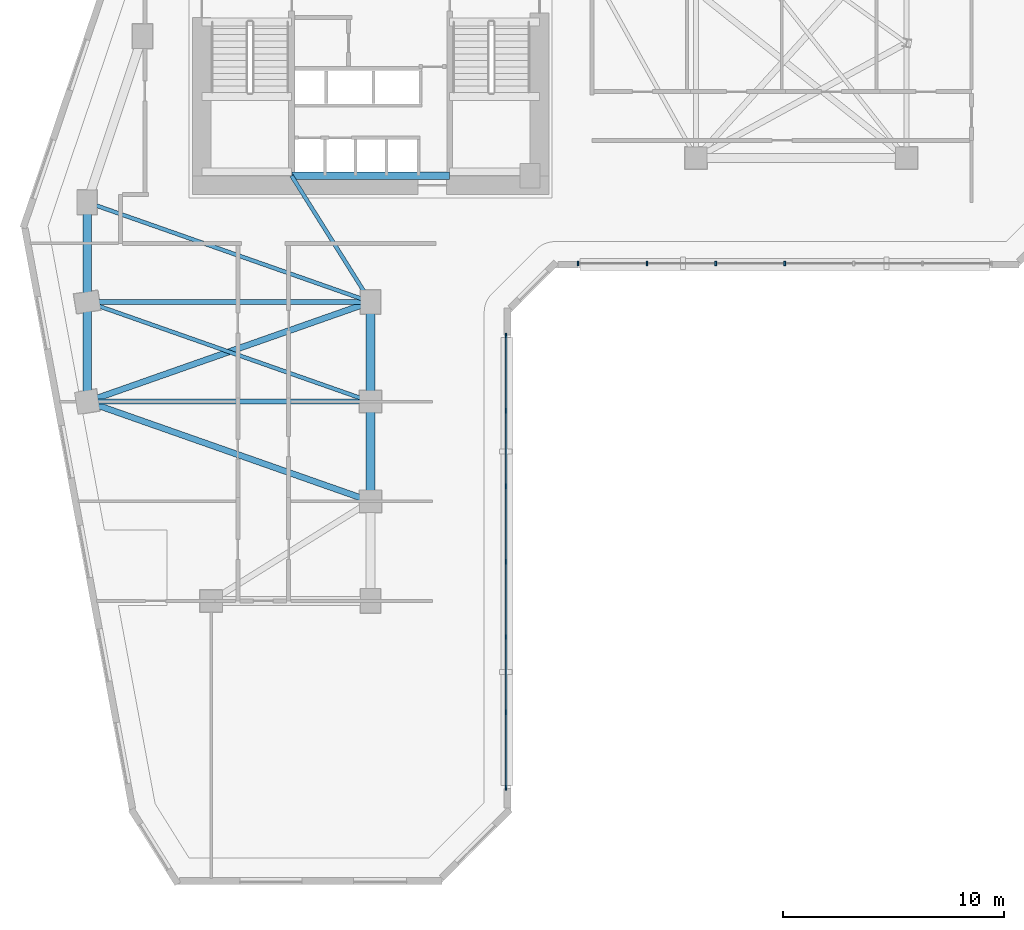
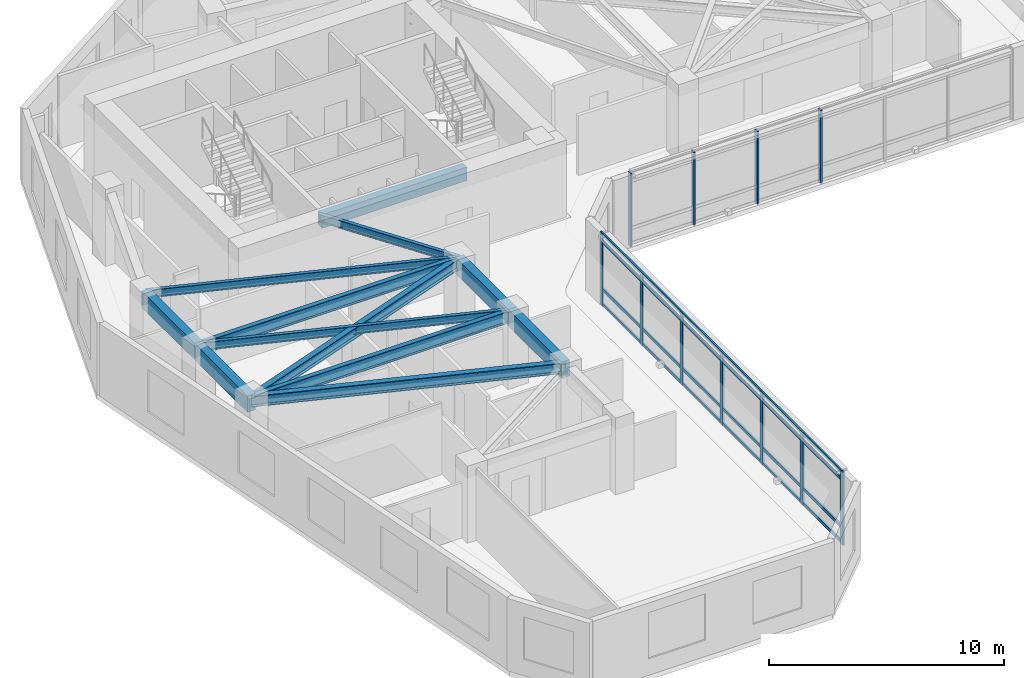
# One storey, part 2 of 11: 15 members, 12 beams, 2 elements without a shape of their own.
"""IFC4 building model written with IfcOpenShell, lengths in metres."""

import ifcopenshell
import ifcopenshell.guid

model = None  # the IFC model being written
_history = None  # IfcOwnerHistory: only IFC2X3 demands one
_inside = {}  # id of a spatial element -> (the spatial element, [elements in it])
_under = {}  # id of a project, library or spatial element -> (it, [spatial elements below it])
_declared = {}  # id of a project -> (the project, [libraries it declares])
_typed = {}  # id of a type object -> (the type object, [elements of that type])
_made_of = {}  # id of a material, layer set ... -> (it, [elements and type objects made of it])


def new_model(schema):
    """Start an empty IFC model of exactly this schema.

    Asked for "IFC4X3", IfcOpenShell would pick the latest addendum, in which some entities
    have other attributes; the version numbers below select the first issue.
    IFC2X3 requires an IfcOwnerHistory on every rooted entity: one is made here for all.
    """
    global model, _history
    if schema == "IFC4X3":
        model = ifcopenshell.file(schema_version=(4, 3, 0, 0))
    else:
        model = ifcopenshell.file(schema=schema)
    _inside.clear()
    _under.clear()
    _declared.clear()
    _typed.clear()
    _made_of.clear()
    _history = None
    if model.schema == "IFC2X3":
        org = make("IfcOrganization", Name="unknown")
        user = make(
            "IfcPersonAndOrganization",
            ThePerson=make("IfcPerson", FamilyName="unknown"),
            TheOrganization=org,
        )
        app = make(
            "IfcApplication",
            ApplicationDeveloper=org,
            Version="unknown",
            ApplicationFullName="unknown",
            ApplicationIdentifier="unknown",
        )
        _history = make(
            "IfcOwnerHistory",
            OwningUser=user,
            OwningApplication=app,
            ChangeAction="ADDED",
            CreationDate=0,
        )
    return model


def make(cls, **values):
    """One entity of the class cls with the attributes given. An attribute that is None is left unset."""
    return model.create_entity(
        cls, **{name: value for name, value in values.items() if value is not None}
    )


def rooted(cls, **values):
    """An entity with a GlobalId (a new one), such as an element, a storey or a relation."""
    return make(cls, GlobalId=ifcopenshell.guid.new(), OwnerHistory=_history, **values)


def si_unit(unit_type, name, prefix=None):
    """IfcSIUnit, for example si_unit("LENGTHUNIT", "METRE", prefix="MILLI")."""
    return make("IfcSIUnit", UnitType=unit_type, Prefix=prefix, Name=name)


def assignment(units):
    """IfcUnitAssignment: the units of a project."""
    return None if units is None else make("IfcUnitAssignment", Units=units)


def point(xyz):
    """IfcCartesianPoint."""
    return None if xyz is None else make("IfcCartesianPoint", Coordinates=xyz)


def direction(xyz):
    """IfcDirection."""
    return None if xyz is None else make("IfcDirection", DirectionRatios=xyz)


def frame(location, z_axis=None, x_axis=None):
    """IfcAxis2Placement3D, a coordinate frame: its origin and axes. An axis left out is left unset."""
    return make(
        "IfcAxis2Placement3D",
        Location=point(location),
        Axis=direction(z_axis),
        RefDirection=direction(x_axis),
    )


def frame_2d(location, x_axis=None):
    """IfcAxis2Placement2D, a coordinate frame in the plane: its origin and x axis."""
    return make(
        "IfcAxis2Placement2D", Location=point(location), RefDirection=direction(x_axis)
    )


def origin():
    """The frame at (0, 0, 0) with its axes left unset."""
    return frame((0.0, 0.0, 0.0))


def origin_2d():
    """The frame at (0, 0) in the plane with its x axis left unset."""
    return frame_2d((0.0, 0.0))


def place(relative_to, where):
    """IfcLocalPlacement: puts the frame where relative to a parent placement (None: the world)."""
    return make(
        "IfcLocalPlacement", PlacementRelTo=relative_to, RelativePlacement=where
    )


def context(
    kind, dimensions, precision=None, world=None, true_north=None, identifier=None
):
    """IfcGeometricRepresentationContext, for example the 3D "Model" context."""
    return make(
        "IfcGeometricRepresentationContext",
        ContextIdentifier=identifier,
        ContextType=kind,
        CoordinateSpaceDimension=dimensions,
        Precision=precision,
        WorldCoordinateSystem=world,
        TrueNorth=true_north,
    )


def subcontext(parent, identifier, kind, view, scale=None):
    """IfcGeometricRepresentationSubContext, for example "Body" below "Model"."""
    return make(
        "IfcGeometricRepresentationSubContext",
        ContextIdentifier=identifier,
        ContextType=kind,
        ParentContext=parent,
        TargetScale=scale,
        TargetView=view,
    )


def project(units=None, contexts=None):
    """IfcProject with its units and contexts."""
    return rooted(
        "IfcProject",
        Name="project",
        RepresentationContexts=contexts,
        UnitsInContext=assignment(units),
    )


def spatial(cls, under=None, at=None, **own):
    """A site, building, storey or space (cls), placed at a placement, below another one or the project."""
    s = rooted(cls, ObjectPlacement=at, **own)
    if under is not None:
        _under.setdefault(under.id(), (under, []))[1].append(s)
    return s


def profile(cls, at=None, kind="AREA", **sizes):
    """A parametric profile (cls). Its sizes go by their IFC names, for example OverallWidth=200.0."""
    return make(cls, ProfileType=kind, Position=at, **sizes)


def rectangle(**sizes):
    """IfcRectangleProfileDef."""
    return profile("IfcRectangleProfileDef", **sizes)


def i_section(**sizes):
    """IfcIShapeProfileDef."""
    return profile("IfcIShapeProfileDef", **sizes)


def extrude(swept, where, along, depth):
    """IfcExtrudedAreaSolid: the profile swept, set in the frame where, extruded along a direction by depth."""
    return make(
        "IfcExtrudedAreaSolid",
        SweptArea=swept,
        Position=where,
        ExtrudedDirection=direction(along),
        Depth=depth,
    )


def shape(context_of_items, identifier, shape_type, items):
    """IfcShapeRepresentation: the items that make up one representation, for example the "Body"."""
    return make(
        "IfcShapeRepresentation",
        ContextOfItems=context_of_items,
        RepresentationIdentifier=identifier,
        RepresentationType=shape_type,
        Items=items,
    )


def source(mapping_origin, context_of_items, identifier, shape_type, items):
    """IfcRepresentationMap: a shape defined once, which mapped items show again and again."""
    return make(
        "IfcRepresentationMap",
        MappingOrigin=mapping_origin,
        MappedRepresentation=shape(context_of_items, identifier, shape_type, items),
    )


def transform(
    local_origin,
    x_axis=None,
    y_axis=None,
    z_axis=None,
    scale=None,
    scale2=None,
    scale3=None,
    uniform=True,
):
    """IfcCartesianTransformationOperator3D, or its non-uniform kind. x_axis, y_axis, z_axis: its Axis1, 2, 3."""
    if uniform:
        return make(
            "IfcCartesianTransformationOperator3D",
            Axis1=direction(x_axis),
            Axis2=direction(y_axis),
            LocalOrigin=point(local_origin),
            Scale=scale,
            Axis3=direction(z_axis),
        )
    return make(
        "IfcCartesianTransformationOperator3DnonUniform",
        Axis1=direction(x_axis),
        Axis2=direction(y_axis),
        LocalOrigin=point(local_origin),
        Scale=scale,
        Axis3=direction(z_axis),
        Scale2=scale2,
        Scale3=scale3,
    )


def mapped(mapping_source, mapping_target):
    """IfcMappedItem: shows the shape of a source again, moved by a transform."""
    return make(
        "IfcMappedItem", MappingSource=mapping_source, MappingTarget=mapping_target
    )


def material(Name=None, Category=None):
    """IfcMaterial."""
    return make("IfcMaterial", Name=Name, Category=Category)


def material_profile(
    of_material, cross_section, Name=None, Category=None, Priority=None
):
    """IfcMaterialProfile: a cross section and its material."""
    return make(
        "IfcMaterialProfile",
        Name=Name,
        Material=of_material,
        Profile=cross_section,
        Priority=Priority,
        Category=Category,
    )


def profile_set(profiles, Name=None, composite=None):
    """IfcMaterialProfileSet."""
    return make(
        "IfcMaterialProfileSet",
        Name=Name,
        MaterialProfiles=profiles,
        CompositeProfile=composite,
    )


def made_of(thing, what):
    """Note that an element or type object is made of a material, layer set ...; save() writes the relation."""
    if what is not None:
        _made_of.setdefault(what.id(), (what, []))[1].append(thing)
    return thing


def type_object(cls, material=None, **own):
    """A type object (cls), such as IfcWallType, which elements share."""
    return made_of(rooted(cls, **own), material)


def element(
    cls,
    number,
    at=None,
    inside=None,
    cuts=None,
    type_object=None,
    material=None,
    context=None,
    identifier="Body",
    shape_type=None,
    held_by="IfcProductDefinitionShape",
    body=None,
    shapes=None,
    **own,
):
    """One element of the class cls, such as IfcWall. Its Tag is "e" and its number.

    at: its placement. inside: the storey or other place that contains it. cuts: it is an
    opening in that element (IfcRelVoidsElement). A single representation is given by context,
    identifier, shape_type and body (its items); several are given by shapes. held_by: the class
    of the entity that holds the representations. save() writes the other relations.
    """
    e = rooted(cls, Tag="e%d" % number, ObjectPlacement=at, **own)
    if body is not None:
        shapes = [shape(context, identifier, shape_type, body)]
    if shapes is not None:
        e.Representation = make(held_by, Representations=shapes)
    if inside is not None:
        _inside.setdefault(inside.id(), (inside, []))[1].append(e)
    if cuts is not None:
        rooted(
            "IfcRelVoidsElement", RelatingBuildingElement=cuts, RelatedOpeningElement=e
        )
    if type_object is not None:
        _typed.setdefault(type_object.id(), (type_object, []))[1].append(e)
    return made_of(e, material)


def aggregate(whole, parts):
    """IfcRelAggregates: a whole, such as a stair, and the parts it consists of."""
    return rooted("IfcRelAggregates", RelatingObject=whole, RelatedObjects=parts)


def save(model, path):
    """Write the relations noted so far, then the file.

    IfcRelAggregates (storeys below a building ...), IfcRelContainedInSpatialStructure (elements
    in a storey), IfcRelDefinesByType, IfcRelAssociatesMaterial and IfcRelDeclares: one each for
    every whole, place, type object, material and project.
    """
    for whole, parts in _under.values():
        aggregate(whole, parts)
    for where, things in _inside.values():
        rooted(
            "IfcRelContainedInSpatialStructure",
            RelatedElements=things,
            RelatingStructure=where,
        )
    for kind, things in _typed.values():
        rooted("IfcRelDefinesByType", RelatedObjects=things, RelatingType=kind)
    for what, things in _made_of.values():
        rooted("IfcRelAssociatesMaterial", RelatedObjects=things, RelatingMaterial=what)
    for by, libraries in _declared.values():
        rooted("IfcRelDeclares", RelatingContext=by, RelatedDefinitions=libraries)
    model.write(path)


model = new_model("IFC4")

# Units and contexts
model_context = context("Model", 3, precision=1e-05, world=origin(), true_north=direction((0.0, 1.0)))
body_context = subcontext(model_context, "Body", "Model", "MODEL_VIEW")
ifc_project = project(units=[si_unit("LENGTHUNIT", "METRE"), si_unit("AREAUNIT", "SQUARE_METRE"), si_unit("VOLUMEUNIT", "CUBIC_METRE"), si_unit("PLANEANGLEUNIT", "RADIAN"), si_unit("MASSUNIT", "GRAM", prefix="KILO")], contexts=[model_context])

# Site, building, storey
site_placement = place(None, origin())
site = spatial("IfcSite", under=ifc_project, at=site_placement, CompositionType="ELEMENT")
building_placement = place(site_placement, origin())
building = spatial("IfcBuilding", under=site, at=building_placement, Name="Calvemar Wedge Station Tower", CompositionType="ELEMENT")
storey_placement = place(building_placement, frame((0.0, 0.0, 75.0)))
storey = spatial("IfcBuildingStorey", under=building, at=storey_placement, Name="L18", CompositionType="ELEMENT", Elevation=75.0)

# Beams
ifc_material_1 = material(Name="Concrete C60", Category="concrete")
ifc_material_profile_1 = material_profile(ifc_material_1, rectangle(XDim=0.39990234375, YDim=0.85009765625, at=origin_2d()), Name="RC400x850")
ifc_profile_set_1 = profile_set([ifc_material_profile_1], Name="Concrete C60")
beam_type_1 = type_object("IfcBeamType", Name="BM-SP1-850", PredefinedType="SPANDREL", material=ifc_profile_set_1)
shared_shape_1 = source(origin(), body_context, "Body", "SweptSolid", [
    extrude(rectangle(XDim=0.39990234375, YDim=0.85009765625, at=origin_2d()), origin(), (0.0, 0.0, 1.0), 4.5),
])
for number, where, z_axis, x_axis, name in (
    (1, (11.0, 33.0, 3.324951171875), (0.0, -1.0, 0.0), (1.0, 0.0, 0.0), "Storey L18 Spandrel T-NW1-T-SW1"),
    (2, (11.0, 28.5, 3.324951171875), (0.0, -1.0, 0.0), (1.0, 0.0, 0.0), "Storey L18 Spandrel T-SW1-T-SW2"),
    (3, (23.800048828125, 28.5, 3.324951171875), (0.0, -1.0, 0.0), (1.0, 0.0, 0.0), "Storey L18 Spandrel T-SE1-T-SE2"),
    (4, (23.800048828125, 24.0, 3.324951171875), (0.0, -1.0, 0.0), (1.0, 0.0, 0.0), "Storey L18 Spandrel T-SE2-T-SE3"),
):
    element("IfcBeam", number, at=place(storey_placement, frame(where, z_axis=z_axis, x_axis=x_axis)), inside=storey, type_object=beam_type_1, Name=name, PredefinedType="SPANDREL", context=body_context, shape_type="MappedRepresentation", body=[
        mapped(shared_shape_1, transform((0.0, 0.0, 0.0), scale=1.0)),
    ])
ifc_material_2 = material(Name="Structural steel ASTM A572 Grade 50", Category="steel")
ifc_material_profile_2 = material_profile(ifc_material_2, i_section(OverallWidth=0.22998046875, OverallDepth=0.616943359375, WebThickness=0.01318359375, FlangeThickness=0.022216796875, FilletRadius=0.012939453125, at=origin_2d()), Name="W610x140")
ifc_profile_set_2 = profile_set([ifc_material_profile_2], Name="Structural steel ASTM A572 Grade 50")
beam_type_2 = type_object("IfcBeamType", Name="BM-SB2-W610", PredefinedType="BEAM", material=ifc_profile_set_2)
shared_shape_2 = source(origin(), body_context, "Body", "SweptSolid", [
    extrude(i_section(OverallWidth=0.22998046875, OverallDepth=0.616943359375, WebThickness=0.01318359375, FlangeThickness=0.022216796875, FilletRadius=0.012939453125, at=origin_2d()), origin(), (0.0, 0.0, 1.0), 12.800048828125),
])
for number, where, z_axis, x_axis, name in (
    (5, (11.0, 28.5, 3.44140625), (1.0, 0.0, 0.0), (0.0, 1.0, 0.0), "Storey L18 Floor Beam T-SW1-T-SE1"),
    (6, (11.0, 24.0, 3.44140625), (1.0, 0.0, 0.0), (0.0, 1.0, 0.0), "Storey L18 Floor Beam T-SW2-T-SE2"),
):
    element("IfcBeam", number, at=place(storey_placement, frame(where, z_axis=z_axis, x_axis=x_axis)), inside=storey, type_object=beam_type_2, Name=name, PredefinedType="BEAM", context=body_context, shape_type="MappedRepresentation", body=[
        mapped(shared_shape_2, transform((0.0, 0.0, 0.0), scale=1.0)),
    ])
ifc_material_profile_3 = material_profile(ifc_material_2, i_section(OverallWidth=0.177978515625, OverallDepth=0.406982421875, WebThickness=0.0078125, FlangeThickness=0.0126953125, FilletRadius=0.010009765625, at=origin_2d()), Name="W410x60")
ifc_profile_set_3 = profile_set([ifc_material_profile_3], Name="Structural steel ASTM A572 Grade 50")
beam_type_3 = type_object("IfcBeamType", Name="BM-J3-W410", PredefinedType="JOIST", material=ifc_profile_set_3)
shared_shape_3 = source(origin(), body_context, "Body", "SweptSolid", [
    extrude(i_section(OverallWidth=0.177978515625, OverallDepth=0.406982421875, WebThickness=0.0078125, FlangeThickness=0.0126953125, FilletRadius=0.010009765625, at=origin_2d()), origin(), (0.0, 0.0, 1.0), 13.568115234375),
])
for number, where, z_axis, x_axis, name in (
    (7, (11.0, 33.0, 3.54638671875), (0.943398221169, -0.331662171939, 0.0), (0.331662171939, 0.943398221169, 0.0), "Storey L18 Floor Beam T-NW1-T-SE1"),
    (8, (11.0, 28.5, 3.54638671875), (0.943398221169, -0.331662171939, 0.0), (0.331662171939, 0.943398221169, 0.0), "Storey L18 Floor Beam T-SW1-T-SE2"),
):
    element("IfcBeam", number, at=place(storey_placement, frame(where, z_axis=z_axis, x_axis=x_axis)), inside=storey, type_object=beam_type_3, Name=name, PredefinedType="JOIST", context=body_context, shape_type="MappedRepresentation", body=[
        mapped(shared_shape_3, transform((0.0, 0.0, 0.0), scale=1.0)),
    ])
ifc_material_profile_4 = material_profile(ifc_material_2, i_section(OverallWidth=0.279052734375, OverallDepth=0.553955078125, WebThickness=0.017578125, FlangeThickness=0.029541015625, FilletRadius=0.014892578125, at=origin_2d()), Name="W530x196")
ifc_profile_set_4 = profile_set([ifc_material_profile_4], Name="Structural steel ASTM A572 Grade 50")
beam_type_4 = type_object("IfcBeamType", Name="BM-SB3-W530H", PredefinedType="BEAM", material=ifc_profile_set_4)
shared_shape_4 = source(origin(), body_context, "Body", "SweptSolid", [
    extrude(i_section(OverallWidth=0.279052734375, OverallDepth=0.553955078125, WebThickness=0.017578125, FlangeThickness=0.029541015625, FilletRadius=0.014892578125, at=origin_2d()), origin(), (0.0, 0.0, 1.0), 13.568115234375),
])
for number, where, z_axis, x_axis, name in (
    (9, (23.800048828125, 28.5, 3.472900390625), (-0.943398221169, -0.331662171939, 0.0), (0.331662171939, -0.943398221169, 0.0), "Storey L18 Floor Beam T-SE1-T-SW2"),
    (10, (11.0, 24.0, 3.472900390625), (0.943398221169, -0.331662171939, 0.0), (0.331662171939, 0.943398221169, 0.0), "Storey L18 Floor Beam T-SW2-T-SE3"),
):
    element("IfcBeam", number, at=place(storey_placement, frame(where, z_axis=z_axis, x_axis=x_axis)), inside=storey, type_object=beam_type_4, Name=name, PredefinedType="BEAM", context=body_context, shape_type="MappedRepresentation", body=[
        mapped(shared_shape_4, transform((0.0, 0.0, 0.0), scale=1.0)),
    ])
shared_shape_5 = source(origin(), body_context, "Body", "SweptSolid", [
    extrude(i_section(OverallWidth=0.177978515625, OverallDepth=0.406982421875, WebThickness=0.0078125, FlangeThickness=0.0126953125, FilletRadius=0.010009765625, at=origin_2d()), origin(), (0.0, 0.0, 1.0), 6.7255859375),
])
beam_1_placement = place(storey_placement, frame((20.22998046875, 34.199951171875, 3.54638671875), z_axis=(0.530811158438, -0.847490126242, 0.0), x_axis=(0.847490126242, 0.530811158438, 0.0)))
element("IfcBeam", 11, at=beam_1_placement, inside=storey, type_object=beam_type_3, Name="Storey L18 Core-to-Column Joist CJ-S2", PredefinedType="JOIST", context=body_context, shape_type="MappedRepresentation", body=[
    mapped(shared_shape_5, transform((0.0, 0.0, 0.0), scale=1.0)),
])
ifc_material_3 = material(Name="Concrete C70", Category="concrete")
ifc_material_profile_5 = material_profile(ifc_material_3, rectangle(XDim=0.35009765625, YDim=0.699951171875, at=origin_2d()), Name="RC350x700")
ifc_profile_set_5 = profile_set([ifc_material_profile_5], Name="Concrete C70")
beam_type_5 = type_object("IfcBeamType", Name="BM-LN1-700", PredefinedType="LINTEL", material=ifc_profile_set_5)
shared_shape_6 = source(origin(), body_context, "Body", "SweptSolid", [
    extrude(rectangle(XDim=0.35009765625, YDim=0.699951171875, at=origin_2d()), origin(), (0.0, 0.0, 1.0), 7.10009765625),
])
beam_2_placement = place(storey_placement, frame((20.25, 34.199951171875, 3.39990234375), z_axis=(1.0, 0.0, 0.0), x_axis=(0.0, 1.0, 0.0)))
element("IfcBeam", 12, at=beam_2_placement, inside=storey, type_object=beam_type_5, Name="Storey L18 Core Coupling Lintel South", PredefinedType="LINTEL", context=body_context, shape_type="MappedRepresentation", body=[
    mapped(shared_shape_6, transform((0.0, 0.0, 0.0), scale=1.0)),
])

# Curtain wall, members
ifc_material_4 = material(Name="Anodised aluminium 6063-T6", Category="aluminium")
curtain_wall_type = type_object("IfcCurtainWallType", Name="CW1", PredefinedType="NOTDEFINED", material=ifc_material_4)
curtain_wall_1_placement = place(storey_placement, origin())
curtain_wall_1 = element("IfcCurtainWall", 13, at=curtain_wall_1_placement, inside=storey, type_object=curtain_wall_type, Name="Storey L18 CW1 Recessed Unitised Curtain Wall 4", PredefinedType="NOTDEFINED")
ifc_material_profile_6 = material_profile(ifc_material_4, rectangle(XDim=0.080078125, YDim=0.219970703125, at=origin_2d()), Name="AL-MUL-80x220")
ifc_profile_set_6 = profile_set([ifc_material_profile_6], Name="Anodised aluminium 6063-T6")
member_type_1 = type_object("IfcMemberType", Name="CW1-MUL", PredefinedType="MULLION", material=ifc_profile_set_6)
shared_shape_7 = source(origin(), body_context, "Body", "SweptSolid", [
    extrude(rectangle(XDim=0.080078125, YDim=0.219970703125, at=origin_2d()), origin(), (0.0, 0.0, 1.0), 3.800048828125),
])
member_1_placement = place(storey_placement, frame((29.91796875, 6.56201171875, -0.050048828125), z_axis=(0.0, 0.0, 1.0), x_axis=(1.0, 0.0, 0.0)))
member_1 = element("IfcMember", 14, at=member_1_placement, type_object=member_type_1, Name="CW1 mullion 1", PredefinedType="MULLION", context=body_context, shape_type="MappedRepresentation", body=[
    mapped(shared_shape_7, transform((0.0, 0.0, 0.0), scale=1.0)),
])
member_2_placement = place(storey_placement, frame((29.91796875, 9.966796875, -0.050048828125), z_axis=(0.0, 0.0, 1.0), x_axis=(1.0, 0.0, 0.0)))
member_2 = element("IfcMember", 15, at=member_2_placement, type_object=member_type_1, Name="CW1 mullion 2", PredefinedType="MULLION", context=body_context, shape_type="MappedRepresentation", body=[
    mapped(shared_shape_7, transform((0.0, 0.0, 0.0), scale=1.0)),
])
member_3_placement = place(storey_placement, frame((29.91796875, 13.371337890625, -0.050048828125), z_axis=(0.0, 0.0, 1.0), x_axis=(1.0, 0.0, 0.0)))
member_3 = element("IfcMember", 16, at=member_3_placement, type_object=member_type_1, Name="CW1 mullion 3", PredefinedType="MULLION", context=body_context, shape_type="MappedRepresentation", body=[
    mapped(shared_shape_7, transform((0.0, 0.0, 0.0), scale=1.0)),
])
member_4_placement = place(storey_placement, frame((29.91796875, 16.776123046875, -0.050048828125), z_axis=(0.0, 0.0, 1.0), x_axis=(1.0, 0.0, 0.0)))
member_4 = element("IfcMember", 17, at=member_4_placement, type_object=member_type_1, Name="CW1 mullion 4", PredefinedType="MULLION", context=body_context, shape_type="MappedRepresentation", body=[
    mapped(shared_shape_7, transform((0.0, 0.0, 0.0), scale=1.0)),
])
member_5_placement = place(storey_placement, frame((29.91796875, 20.180908203125, -0.050048828125), z_axis=(0.0, 0.0, 1.0), x_axis=(1.0, 0.0, 0.0)))
member_5 = element("IfcMember", 18, at=member_5_placement, type_object=member_type_1, Name="CW1 mullion 5", PredefinedType="MULLION", context=body_context, shape_type="MappedRepresentation", body=[
    mapped(shared_shape_7, transform((0.0, 0.0, 0.0), scale=1.0)),
])
member_6_placement = place(storey_placement, frame((29.91796875, 23.58544921875, -0.050048828125), z_axis=(0.0, 0.0, 1.0), x_axis=(1.0, 0.0, 0.0)))
member_6 = element("IfcMember", 19, at=member_6_placement, type_object=member_type_1, Name="CW1 mullion 6", PredefinedType="MULLION", context=body_context, shape_type="MappedRepresentation", body=[
    mapped(shared_shape_7, transform((0.0, 0.0, 0.0), scale=1.0)),
])
member_7_placement = place(storey_placement, frame((29.91796875, 26.989990234375, -0.050048828125), z_axis=(0.0, 0.0, 1.0), x_axis=(1.0, 0.0, 0.0)))
member_7 = element("IfcMember", 20, at=member_7_placement, type_object=member_type_1, Name="CW1 mullion 7", PredefinedType="MULLION", context=body_context, shape_type="MappedRepresentation", body=[
    mapped(shared_shape_7, transform((0.0, 0.0, 0.0), scale=1.0)),
])

curtain_wall_2_placement = place(storey_placement, origin())
curtain_wall_2 = element("IfcCurtainWall", 21, at=curtain_wall_2_placement, inside=storey, type_object=curtain_wall_type, Name="Storey L18 CW1 Recessed Unitised Curtain Wall 6", PredefinedType="NOTDEFINED")
member_8_placement = place(storey_placement, frame((33.166015625, 30.238037109375, -0.050048828125), z_axis=(0.0, 0.0, 1.0), x_axis=(1.0, 0.0, 0.0)))
member_8 = element("IfcMember", 22, at=member_8_placement, type_object=member_type_1, Name="CW1 mullion 1", PredefinedType="MULLION", context=body_context, shape_type="MappedRepresentation", body=[
    mapped(shared_shape_7, transform((0.0, 0.0, 0.0), scale=1.0)),
])
member_9_placement = place(storey_placement, frame((36.27783203125, 30.238037109375, -0.050048828125), z_axis=(0.0, 0.0, 1.0), x_axis=(1.0, 0.0, 0.0)))
member_9 = element("IfcMember", 23, at=member_9_placement, type_object=member_type_1, Name="CW1 mullion 2", PredefinedType="MULLION", context=body_context, shape_type="MappedRepresentation", body=[
    mapped(shared_shape_7, transform((0.0, 0.0, 0.0), scale=1.0)),
])
member_10_placement = place(storey_placement, frame((39.389892578125, 30.238037109375, -0.050048828125), z_axis=(0.0, 0.0, 1.0), x_axis=(1.0, 0.0, 0.0)))
member_10 = element("IfcMember", 24, at=member_10_placement, type_object=member_type_1, Name="CW1 mullion 3", PredefinedType="MULLION", context=body_context, shape_type="MappedRepresentation", body=[
    mapped(shared_shape_7, transform((0.0, 0.0, 0.0), scale=1.0)),
])
member_11_placement = place(storey_placement, frame((42.501953125, 30.238037109375, -0.050048828125), z_axis=(0.0, 0.0, 1.0), x_axis=(1.0, 0.0, 0.0)))
member_11 = element("IfcMember", 25, at=member_11_placement, type_object=member_type_1, Name="CW1 mullion 4", PredefinedType="MULLION", context=body_context, shape_type="MappedRepresentation", body=[
    mapped(shared_shape_7, transform((0.0, 0.0, 0.0), scale=1.0)),
])
aggregate(curtain_wall_2, [member_8, member_9, member_10, member_11])

# Member
ifc_material_profile_7 = material_profile(ifc_material_4, rectangle(XDim=0.080078125, YDim=0.159912109375, at=origin_2d()), Name="AL-TRN-80x160")
ifc_profile_set_7 = profile_set([ifc_material_profile_7], Name="Anodised aluminium 6063-T6")
member_type_2 = type_object("IfcMemberType", Name="CW1-TRN", PredefinedType="USERDEFINED", material=ifc_profile_set_7)
shared_shape_8 = source(origin(), body_context, "Body", "SweptSolid", [
    extrude(rectangle(XDim=0.080078125, YDim=0.159912109375, at=origin_2d()), origin(), (0.0, 0.0, 1.0), 20.427978515625),
])
member_12_placement = place(storey_placement, frame((29.91796875, 6.56201171875, 0.06005859375), z_axis=(0.0, 1.0, 0.0), x_axis=(-1.0, 0.0, 0.0)))
member_12 = element("IfcMember", 26, at=member_12_placement, type_object=member_type_2, Name="CW1 transom 1", ObjectType="TRANSOM", PredefinedType="USERDEFINED", context=body_context, shape_type="MappedRepresentation", body=[
    mapped(shared_shape_8, transform((0.0, 0.0, 0.0), scale=1.0)),
])

member_13_placement = place(storey_placement, frame((29.91796875, 6.56201171875, 0.85009765625), z_axis=(0.0, 1.0, 0.0), x_axis=(-1.0, 0.0, 0.0)))
member_13 = element("IfcMember", 27, at=member_13_placement, type_object=member_type_2, Name="CW1 transom 2", ObjectType="TRANSOM", PredefinedType="USERDEFINED", context=body_context, shape_type="MappedRepresentation", body=[
    mapped(shared_shape_8, transform((0.0, 0.0, 0.0), scale=1.0)),
])

member_14_placement = place(storey_placement, frame((29.91796875, 6.56201171875, 3.300048828125), z_axis=(0.0, 1.0, 0.0), x_axis=(-1.0, 0.0, 0.0)))
member_14 = element("IfcMember", 28, at=member_14_placement, type_object=member_type_2, Name="CW1 transom 3", ObjectType="TRANSOM", PredefinedType="USERDEFINED", context=body_context, shape_type="MappedRepresentation", body=[
    mapped(shared_shape_8, transform((0.0, 0.0, 0.0), scale=1.0)),
])

member_15_placement = place(storey_placement, frame((29.91796875, 6.56201171875, 3.68994140625), z_axis=(0.0, 1.0, 0.0), x_axis=(-1.0, 0.0, 0.0)))
member_15 = element("IfcMember", 29, at=member_15_placement, type_object=member_type_2, Name="CW1 transom 4", ObjectType="TRANSOM", PredefinedType="USERDEFINED", context=body_context, shape_type="MappedRepresentation", body=[
    mapped(shared_shape_8, transform((0.0, 0.0, 0.0), scale=1.0)),
])

aggregate(curtain_wall_1, [member_1, member_2, member_3, member_4, member_5, member_6, member_7, member_12, member_13, member_14, member_15])

save(model, "model.ifc")
